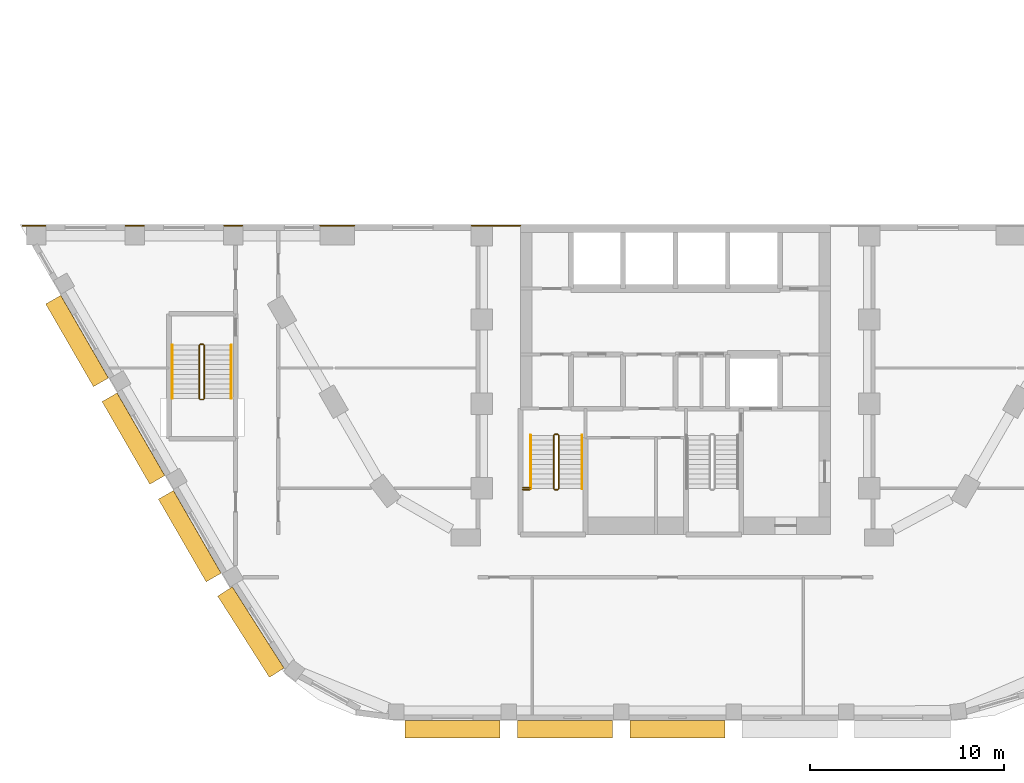
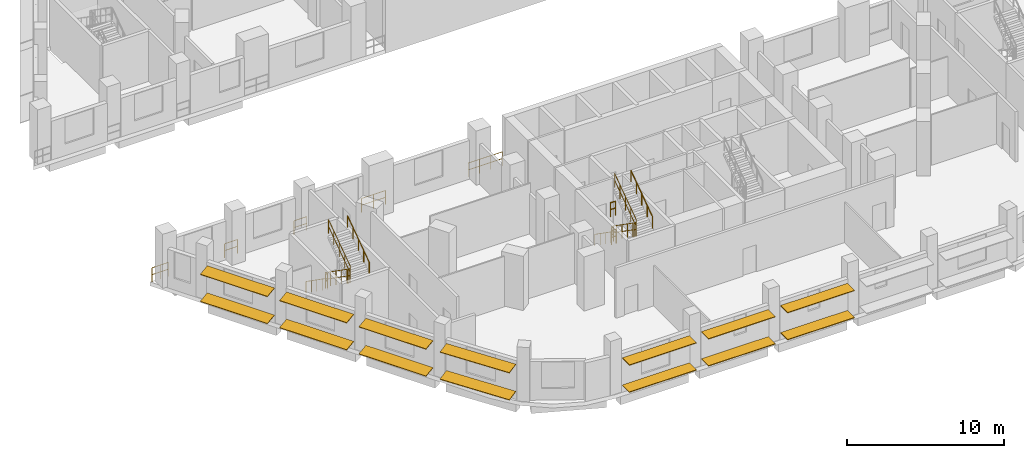
# One storey, part 27 of 33: 19 railings, 14 shading devices.
"""IFC4 building model written with IfcOpenShell, lengths in metres."""

from ifc_helpers import new_model, si_unit, direction, frame, origin, origin_2d, place, context, subcontext, project, spatial, rectangle, circle, extrude, material, material_profile, profile_set, type_object, element, save


model = new_model("IFC4")

# Units and contexts
model_context = context("Model", 3, precision=1e-05, world=origin(), true_north=direction((0.0, 1.0)))
body_context = subcontext(model_context, "Body", "Model", "MODEL_VIEW")
ifc_project = project(units=[si_unit("LENGTHUNIT", "METRE"), si_unit("AREAUNIT", "SQUARE_METRE"), si_unit("VOLUMEUNIT", "CUBIC_METRE"), si_unit("PLANEANGLEUNIT", "RADIAN"), si_unit("MASSUNIT", "GRAM", prefix="KILO")], contexts=[model_context])

# Site, building, storey
site_placement = place(None, origin())
site = spatial("IfcSite", under=ifc_project, at=site_placement, CompositionType="ELEMENT")
building_placement = place(site_placement, origin())
building = spatial("IfcBuilding", under=site, at=building_placement, Name="Nakaniwa Court", CompositionType="ELEMENT")
storey_placement = place(building_placement, frame((0.0, 0.0, 19.800048828125)))
storey = spatial("IfcBuildingStorey", under=building, at=storey_placement, Name="L04", CompositionType="ELEMENT", Elevation=19.800048828125)

# Shading devices
ifc_material_1 = material(Name="Perforated charcoal ceramic louvre blade")
ifc_material_profile = material_profile(ifc_material_1, rectangle(XDim=0.89990234375, YDim=0.050048828125, at=origin_2d()), Name="Perforated ceramic louvre blade")
ifc_profile_set = profile_set([ifc_material_profile], Name="Perforated charcoal ceramic louvre blade")
shading_device_type = type_object("IfcShadingDeviceType", Name="Perforated ceramic louvre blade", PredefinedType="JALOUSIE", material=ifc_profile_set)
for number, where, z_axis, x_axis, name in (
    (1, (47.884765625, 68.726318359375, 0.550048828125), (0.499988503985, -0.86603204091, 0.0), (0.858623016745, 0.495711033022, 0.13052619222), "L04 perforated ceramic louvre blade w13 1"),
    (2, (47.884765625, 68.726318359375, 2.64990234375), (0.499988503985, -0.86603204091, 0.0), (0.858623016745, 0.495711033022, 0.13052619222), "L04 perforated ceramic louvre blade w13 2"),
    (3, (50.793212890625, 63.68896484375, 0.550048828125), (0.499988503985, -0.86603204091, 0.0), (0.858623016745, 0.495711033022, 0.13052619222), "L04 perforated ceramic louvre blade w14 1"),
    (4, (50.793212890625, 63.68896484375, 2.64990234375), (0.499988503985, -0.86603204091, 0.0), (0.858623016745, 0.495711033022, 0.13052619222), "L04 perforated ceramic louvre blade w14 2"),
    (5, (53.701416015625, 58.651611328125, 0.550048828125), (0.499988503985, -0.86603204091, 0.0), (0.858623016745, 0.495711033022, 0.13052619222), "L04 perforated ceramic louvre blade w15 1"),
    (6, (53.701416015625, 58.651611328125, 2.64990234375), (0.499988503985, -0.86603204091, 0.0), (0.858623016745, 0.495711033022, 0.13052619222), "L04 perforated ceramic louvre blade w15 2"),
):
    element("IfcShadingDevice", number, at=place(storey_placement, frame(where, z_axis=z_axis, x_axis=x_axis)), inside=storey, type_object=shading_device_type, Name=name, PredefinedType="JALOUSIE", context=body_context, shape_type="SweptSolid", body=[
        extrude(rectangle(XDim=0.89990234375, YDim=0.050048828125, at=origin_2d()), origin(), (0.0, 0.0, 1.0), 4.9248046875),
    ])
for number, where, z_axis, x_axis, name in (
    (7, (56.75048828125, 53.664794921875, 0.550048828125), (0.537237750098, -0.843430850675, 0.0), (0.837322169417, 0.533346720771, 0.120136838835), "L04 perforated ceramic louvre blade w16 1"),
    (8, (56.75048828125, 53.664794921875, 2.64990234375), (0.537237750098, -0.843430850675, 0.0), (0.837322169417, 0.533346720771, 0.120136838835), "L04 perforated ceramic louvre blade w16 2"),
):
    element("IfcShadingDevice", number, at=place(storey_placement, frame(where, z_axis=z_axis, x_axis=x_axis)), inside=storey, type_object=shading_device_type, Name=name, PredefinedType="JALOUSIE", context=body_context, shape_type="SweptSolid", body=[
        extrude(rectangle(XDim=0.89990234375, YDim=0.050048828125, at=origin_2d()), origin(), (0.0, 0.0, 1.0), 4.970703125),
    ])
for number, where, z_axis, x_axis, name in (
    (9, (66.041748046875, 46.550048828125, 0.550048828125), (1.0, 0.0, 0.0), (0.0, 1.0, 0.0), "L04 perforated ceramic louvre blade w19 1"),
    (10, (66.041748046875, 46.550048828125, 2.64990234375), (1.0, 0.0, 0.0), (0.0, 1.0, 0.0), "L04 perforated ceramic louvre blade w19 2"),
):
    element("IfcShadingDevice", number, at=place(storey_placement, frame(where, z_axis=z_axis, x_axis=x_axis)), inside=storey, type_object=shading_device_type, Name=name, PredefinedType="JALOUSIE", context=body_context, shape_type="SweptSolid", body=[
        extrude(rectangle(XDim=0.89990234375, YDim=0.050048828125, at=origin_2d()), origin(), (0.0, 0.0, 1.0), 4.91015625),
    ])
for number, where, z_axis, x_axis, name in (
    (11, (71.843994140625, 46.550048828125, 0.550048828125), (1.0, 0.0, 0.0), (0.0, 1.0, 0.0), "L04 perforated ceramic louvre blade w20 1"),
    (12, (71.843994140625, 46.550048828125, 2.64990234375), (1.0, 0.0, 0.0), (0.0, 1.0, 0.0), "L04 perforated ceramic louvre blade w20 2"),
):
    element("IfcShadingDevice", number, at=place(storey_placement, frame(where, z_axis=z_axis, x_axis=x_axis)), inside=storey, type_object=shading_device_type, Name=name, PredefinedType="JALOUSIE", context=body_context, shape_type="SweptSolid", body=[
        extrude(rectangle(XDim=0.89990234375, YDim=0.050048828125, at=origin_2d()), origin(), (0.0, 0.0, 1.0), 4.910400390625),
    ])
for number, where, z_axis, x_axis, name in (
    (13, (77.646240234375, 46.550048828125, 0.550048828125), (1.0, 0.0, 0.0), (0.0, 1.0, 0.0), "L04 perforated ceramic louvre blade w21 1"),
    (14, (77.646240234375, 46.550048828125, 2.64990234375), (1.0, 0.0, 0.0), (0.0, 1.0, 0.0), "L04 perforated ceramic louvre blade w21 2"),
):
    element("IfcShadingDevice", number, at=place(storey_placement, frame(where, z_axis=z_axis, x_axis=x_axis)), inside=storey, type_object=shading_device_type, Name=name, PredefinedType="JALOUSIE", context=body_context, shape_type="SweptSolid", body=[
        extrude(rectangle(XDim=0.89990234375, YDim=0.050048828125, at=origin_2d()), origin(), (0.0, 0.0, 1.0), 4.91015625),
    ])

# Railings
ifc_material_2 = material(Name="Black powder coated steel guard", Category="steel")
railing_type_1 = type_object("IfcRailingType", Name="Stair guard 1100", PredefinedType="GUARDRAIL", material=ifc_material_2)
railing_1_placement = place(storey_placement, frame((73.72509765625, 61.72509765625, 0.175048828125)))
element("IfcRailing", 15, at=railing_1_placement, inside=storey, type_object=railing_type_1, Name="L04 ST3 stair guard 1", PredefinedType="GUARDRAIL", context=body_context, shape_type="SweptSolid", body=[
    extrude(circle(Radius=0.02392578125, at=origin_2d()), frame((0.0, 0.0, 1.076171875), z_axis=(0.0, -0.819259255306, 0.573423292687), x_axis=(1.0, 0.0, 0.0)), (0.0, 0.0, 1.0), 3.356689453125),
    extrude(circle(Radius=0.02392578125, at=origin_2d()), frame((0.0, 0.0, 0.550048828125), z_axis=(0.0, -0.819259255306, 0.573423292687), x_axis=(1.0, 0.0, 0.0)), (0.0, 0.0, 1.0), 3.356689453125),
    extrude(circle(Radius=0.02099609375, at=origin_2d()), origin(), (0.0, 0.0, 1.0), 1.052001953125),
    extrude(circle(Radius=0.02099609375, at=origin_2d()), frame((0.0, -0.6875, 0.481201171875)), (0.0, 0.0, 1.0), 1.052001953125),
    extrude(circle(Radius=0.02099609375, at=origin_2d()), frame((0.0, -1.375, 0.96240234375)), (0.0, 0.0, 1.0), 1.052001953125),
    extrude(circle(Radius=0.02099609375, at=origin_2d()), frame((0.0, -2.0625, 1.443603515625)), (0.0, 0.0, 1.0), 1.052001953125),
    extrude(circle(Radius=0.02099609375, at=origin_2d()), frame((0.0, -2.75, 1.9248046875)), (0.0, 0.0, 1.0), 1.052001953125),
])
railing_2_placement = place(storey_placement, frame((73.77490234375, 58.925048828125, 2.099853515625)))
element("IfcRailing", 16, at=railing_2_placement, inside=storey, type_object=railing_type_1, Name="L04 ST3 stair guard 2", PredefinedType="GUARDRAIL", context=body_context, shape_type="SweptSolid", body=[
    extrude(circle(Radius=0.02392578125, at=origin_2d()), frame((0.0, 0.0, 1.076171875), z_axis=(1.0, 0.0, 0.0), x_axis=(0.0, 1.0, 0.0)), (0.0, 0.0, 1.0), 0.150146484375),
    extrude(circle(Radius=0.02392578125, at=origin_2d()), frame((0.0, 0.0, 0.550048828125), z_axis=(1.0, 0.0, 0.0), x_axis=(0.0, 1.0, 0.0)), (0.0, 0.0, 1.0), 0.150146484375),
    extrude(circle(Radius=0.02099609375, at=origin_2d()), origin(), (0.0, 0.0, 1.0), 1.052001953125),
    extrude(circle(Radius=0.02099609375, at=origin_2d()), frame((0.150146484375, 0.0, 0.0)), (0.0, 0.0, 1.0), 1.052001953125),
])
railing_3_placement = place(storey_placement, frame((73.97509765625, 58.97509765625, 2.27490234375)))
element("IfcRailing", 17, at=railing_3_placement, inside=storey, type_object=railing_type_1, Name="L04 ST3 stair guard 3", PredefinedType="GUARDRAIL", context=body_context, shape_type="SweptSolid", body=[
    extrude(circle(Radius=0.02392578125, at=origin_2d()), frame((0.0, 0.0, 1.076171875), z_axis=(0.0, 0.819225086817, 0.573472106672), x_axis=(-1.0, 0.0, 0.0)), (0.0, 0.0, 1.0), 3.35693359375),
    extrude(circle(Radius=0.02392578125, at=origin_2d()), frame((0.0, 0.0, 0.550048828125), z_axis=(0.0, 0.819225086817, 0.573472106672), x_axis=(-1.0, 0.0, 0.0)), (0.0, 0.0, 1.0), 3.35693359375),
    extrude(circle(Radius=0.02099609375, at=origin_2d()), origin(), (0.0, 0.0, 1.0), 1.052001953125),
    extrude(circle(Radius=0.02099609375, at=origin_2d()), frame((0.0, 0.6875, 0.481201171875)), (0.0, 0.0, 1.0), 1.052001953125),
    extrude(circle(Radius=0.02099609375, at=origin_2d()), frame((0.0, 1.375, 0.96240234375)), (0.0, 0.0, 1.0), 1.052001953125),
    extrude(circle(Radius=0.02099609375, at=origin_2d()), frame((0.0, 2.0625, 1.44384765625)), (0.0, 0.0, 1.0), 1.052001953125),
    extrude(circle(Radius=0.02099609375, at=origin_2d()), frame((0.0, 2.75, 1.925048828125)), (0.0, 0.0, 1.0), 1.052001953125),
])
railing_4_placement = place(storey_placement, frame((73.77490234375, 61.77490234375, 0.0)))
element("IfcRailing", 18, at=railing_4_placement, inside=storey, type_object=railing_type_1, Name="L04 ST3 stair guard 4", PredefinedType="GUARDRAIL", context=body_context, shape_type="SweptSolid", body=[
    extrude(circle(Radius=0.02392578125, at=origin_2d()), frame((0.0, 0.0, 1.076171875), z_axis=(1.0, 0.0, 0.0), x_axis=(0.0, 1.0, 0.0)), (0.0, 0.0, 1.0), 0.150146484375),
    extrude(circle(Radius=0.02392578125, at=origin_2d()), frame((0.0, 0.0, 0.550048828125), z_axis=(1.0, 0.0, 0.0), x_axis=(0.0, 1.0, 0.0)), (0.0, 0.0, 1.0), 0.150146484375),
    extrude(circle(Radius=0.02099609375, at=origin_2d()), origin(), (0.0, 0.0, 1.0), 1.052001953125),
    extrude(circle(Radius=0.02099609375, at=origin_2d()), frame((0.150146484375, 0.0, 0.0)), (0.0, 0.0, 1.0), 1.052001953125),
])
for number, where, name in (
    (19, (72.125, 58.925048828125, 2.099853515625), "L04 ST3 landing side guard 1W"),
    (20, (72.125, 59.02490234375, 4.199951171875), "L04 ST3 floor edge guard 1W"),
):
    element("IfcRailing", number, at=place(storey_placement, frame(where)), inside=storey, type_object=railing_type_1, Name=name, PredefinedType="GUARDRAIL", context=body_context, shape_type="SweptSolid", body=[
        extrude(circle(Radius=0.02392578125, at=origin_2d()), frame((0.0, 0.0, 1.076171875), z_axis=(1.0, 0.0, 0.0), x_axis=(0.0, 1.0, 0.0)), (0.0, 0.0, 1.0), 0.35009765625),
        extrude(circle(Radius=0.02392578125, at=origin_2d()), frame((0.0, 0.0, 0.550048828125), z_axis=(1.0, 0.0, 0.0), x_axis=(0.0, 1.0, 0.0)), (0.0, 0.0, 1.0), 0.35009765625),
        extrude(circle(Radius=0.02099609375, at=origin_2d()), origin(), (0.0, 0.0, 1.0), 1.052001953125),
        extrude(circle(Radius=0.02099609375, at=origin_2d()), frame((0.35009765625, 0.0, 0.0)), (0.0, 0.0, 1.0), 1.052001953125),
    ])
railing_5_placement = place(storey_placement, frame((55.425048828125, 66.375, 0.175048828125)))
element("IfcRailing", 21, at=railing_5_placement, inside=storey, type_object=railing_type_1, Name="L04 SS4 stair guard 1", PredefinedType="GUARDRAIL", context=body_context, shape_type="SweptSolid", body=[
    extrude(circle(Radius=0.02392578125, at=origin_2d()), frame((0.0, 0.0, 1.076171875), z_axis=(0.0, -0.819259255306, 0.573423292687), x_axis=(1.0, 0.0, 0.0)), (0.0, 0.0, 1.0), 3.356689453125),
    extrude(circle(Radius=0.02392578125, at=origin_2d()), frame((0.0, 0.0, 0.550048828125), z_axis=(0.0, -0.819259255306, 0.573423292687), x_axis=(1.0, 0.0, 0.0)), (0.0, 0.0, 1.0), 3.356689453125),
    extrude(circle(Radius=0.02099609375, at=origin_2d()), origin(), (0.0, 0.0, 1.0), 1.052001953125),
    extrude(circle(Radius=0.02099609375, at=origin_2d()), frame((0.0, -0.6875, 0.481201171875)), (0.0, 0.0, 1.0), 1.052001953125),
    extrude(circle(Radius=0.02099609375, at=origin_2d()), frame((0.0, -1.375, 0.96240234375)), (0.0, 0.0, 1.0), 1.052001953125),
    extrude(circle(Radius=0.02099609375, at=origin_2d()), frame((0.0, -2.0625, 1.443603515625)), (0.0, 0.0, 1.0), 1.052001953125),
    extrude(circle(Radius=0.02099609375, at=origin_2d()), frame((0.0, -2.75, 1.9248046875)), (0.0, 0.0, 1.0), 1.052001953125),
])
railing_6_placement = place(storey_placement, frame((55.47509765625, 63.574951171875, 2.099853515625)))
element("IfcRailing", 22, at=railing_6_placement, inside=storey, type_object=railing_type_1, Name="L04 SS4 stair guard 2", PredefinedType="GUARDRAIL", context=body_context, shape_type="SweptSolid", body=[
    extrude(circle(Radius=0.02392578125, at=origin_2d()), frame((0.0, 0.0, 1.076171875), z_axis=(1.0, 0.0, 0.0), x_axis=(0.0, 1.0, 0.0)), (0.0, 0.0, 1.0), 0.14990234375),
    extrude(circle(Radius=0.02392578125, at=origin_2d()), frame((0.0, 0.0, 0.550048828125), z_axis=(1.0, 0.0, 0.0), x_axis=(0.0, 1.0, 0.0)), (0.0, 0.0, 1.0), 0.14990234375),
    extrude(circle(Radius=0.02099609375, at=origin_2d()), origin(), (0.0, 0.0, 1.0), 1.052001953125),
    extrude(circle(Radius=0.02099609375, at=origin_2d()), frame((0.14990234375, 0.0, 0.0)), (0.0, 0.0, 1.0), 1.052001953125),
])
railing_7_placement = place(storey_placement, frame((55.675048828125, 63.625, 2.27490234375)))
element("IfcRailing", 23, at=railing_7_placement, inside=storey, type_object=railing_type_1, Name="L04 SS4 stair guard 3", PredefinedType="GUARDRAIL", context=body_context, shape_type="SweptSolid", body=[
    extrude(circle(Radius=0.02392578125, at=origin_2d()), frame((0.0, 0.0, 1.076171875), z_axis=(0.0, 0.819225086817, 0.573472106672), x_axis=(-1.0, 0.0, 0.0)), (0.0, 0.0, 1.0), 3.35693359375),
    extrude(circle(Radius=0.02392578125, at=origin_2d()), frame((0.0, 0.0, 0.550048828125), z_axis=(0.0, 0.819225086817, 0.573472106672), x_axis=(-1.0, 0.0, 0.0)), (0.0, 0.0, 1.0), 3.35693359375),
    extrude(circle(Radius=0.02099609375, at=origin_2d()), origin(), (0.0, 0.0, 1.0), 1.052001953125),
    extrude(circle(Radius=0.02099609375, at=origin_2d()), frame((0.0, 0.6875, 0.481201171875)), (0.0, 0.0, 1.0), 1.052001953125),
    extrude(circle(Radius=0.02099609375, at=origin_2d()), frame((0.0, 1.375, 0.96240234375)), (0.0, 0.0, 1.0), 1.052001953125),
    extrude(circle(Radius=0.02099609375, at=origin_2d()), frame((0.0, 2.0625, 1.44384765625)), (0.0, 0.0, 1.0), 1.052001953125),
    extrude(circle(Radius=0.02099609375, at=origin_2d()), frame((0.0, 2.75, 1.925048828125)), (0.0, 0.0, 1.0), 1.052001953125),
])
railing_8_placement = place(storey_placement, frame((55.47509765625, 66.425048828125, 0.0)))
element("IfcRailing", 24, at=railing_8_placement, inside=storey, type_object=railing_type_1, Name="L04 SS4 stair guard 4", PredefinedType="GUARDRAIL", context=body_context, shape_type="SweptSolid", body=[
    extrude(circle(Radius=0.02392578125, at=origin_2d()), frame((0.0, 0.0, 1.076171875), z_axis=(1.0, 0.0, 0.0), x_axis=(0.0, 1.0, 0.0)), (0.0, 0.0, 1.0), 0.14990234375),
    extrude(circle(Radius=0.02392578125, at=origin_2d()), frame((0.0, 0.0, 0.550048828125), z_axis=(1.0, 0.0, 0.0), x_axis=(0.0, 1.0, 0.0)), (0.0, 0.0, 1.0), 0.14990234375),
    extrude(circle(Radius=0.02099609375, at=origin_2d()), origin(), (0.0, 0.0, 1.0), 1.052001953125),
    extrude(circle(Radius=0.02099609375, at=origin_2d()), frame((0.14990234375, 0.0, 0.0)), (0.0, 0.0, 1.0), 1.052001953125),
])
railing_9_placement = place(storey_placement, frame((46.297119140625, 72.550048828125, 0.0)))
element("IfcRailing", 25, at=railing_9_placement, inside=storey, type_object=railing_type_1, Name="GUARD GD-L04-061", PredefinedType="GUARDRAIL", context=body_context, shape_type="SweptSolid", body=[
    extrude(circle(Radius=0.02392578125, at=origin_2d()), frame((0.0, 0.0, 1.076171875), z_axis=(1.0, 0.0, 0.0), x_axis=(0.0, 1.0, 0.0)), (0.0, 0.0, 1.0), 1.18896484375),
    extrude(circle(Radius=0.02392578125, at=origin_2d()), frame((0.0, 0.0, 0.550048828125), z_axis=(1.0, 0.0, 0.0), x_axis=(0.0, 1.0, 0.0)), (0.0, 0.0, 1.0), 1.18896484375),
    extrude(circle(Radius=0.02099609375, at=origin_2d()), origin(), (0.0, 0.0, 1.0), 1.052001953125),
    extrude(circle(Radius=0.02099609375, at=origin_2d()), frame((0.594482421875, 0.0, 0.0)), (0.0, 0.0, 1.0), 1.052001953125),
    extrude(circle(Radius=0.02099609375, at=origin_2d()), frame((1.18896484375, 0.0, 0.0)), (0.0, 0.0, 1.0), 1.052001953125),
])
railing_10_placement = place(storey_placement, frame((51.610107421875, 72.550048828125, 0.0)))
element("IfcRailing", 26, at=railing_10_placement, inside=storey, type_object=railing_type_1, Name="GUARD GD-L04-062", PredefinedType="GUARDRAIL", context=body_context, shape_type="SweptSolid", body=[
    extrude(circle(Radius=0.02392578125, at=origin_2d()), frame((0.0, 0.0, 1.076171875), z_axis=(1.0, 0.0, 0.0), x_axis=(0.0, 1.0, 0.0)), (0.0, 0.0, 1.0), 0.95947265625),
    extrude(circle(Radius=0.02392578125, at=origin_2d()), frame((0.0, 0.0, 0.550048828125), z_axis=(1.0, 0.0, 0.0), x_axis=(0.0, 1.0, 0.0)), (0.0, 0.0, 1.0), 0.95947265625),
    extrude(circle(Radius=0.02099609375, at=origin_2d()), origin(), (0.0, 0.0, 1.0), 1.052001953125),
    extrude(circle(Radius=0.02099609375, at=origin_2d()), frame((0.95947265625, 0.0, 0.0)), (0.0, 0.0, 1.0), 1.052001953125),
])
railing_11_placement = place(storey_placement, frame((56.703857421875, 72.550048828125, 0.0)))
element("IfcRailing", 27, at=railing_11_placement, inside=storey, type_object=railing_type_1, Name="GUARD GD-L04-063", PredefinedType="GUARDRAIL", context=body_context, shape_type="SweptSolid", body=[
    extrude(circle(Radius=0.02392578125, at=origin_2d()), frame((0.0, 0.0, 1.076171875), z_axis=(1.0, 0.0, 0.0), x_axis=(0.0, 1.0, 0.0)), (0.0, 0.0, 1.0), 0.939453125),
    extrude(circle(Radius=0.02392578125, at=origin_2d()), frame((0.0, 0.0, 0.550048828125), z_axis=(1.0, 0.0, 0.0), x_axis=(0.0, 1.0, 0.0)), (0.0, 0.0, 1.0), 0.939453125),
    extrude(circle(Radius=0.02099609375, at=origin_2d()), origin(), (0.0, 0.0, 1.0), 1.052001953125),
    extrude(circle(Radius=0.02099609375, at=origin_2d()), frame((0.939453125, 0.0, 0.0)), (0.0, 0.0, 1.0), 1.052001953125),
])
railing_12_placement = place(storey_placement, frame((61.65771484375, 72.550048828125, 0.0)))
element("IfcRailing", 28, at=railing_12_placement, inside=storey, type_object=railing_type_1, Name="GUARD GD-L04-064", PredefinedType="GUARDRAIL", context=body_context, shape_type="SweptSolid", body=[
    extrude(circle(Radius=0.02392578125, at=origin_2d()), frame((0.0, 0.0, 1.076171875), z_axis=(1.0, 0.0, 0.0), x_axis=(0.0, 1.0, 0.0)), (0.0, 0.0, 1.0), 1.768310546875),
    extrude(circle(Radius=0.02392578125, at=origin_2d()), frame((0.0, 0.0, 0.550048828125), z_axis=(1.0, 0.0, 0.0), x_axis=(0.0, 1.0, 0.0)), (0.0, 0.0, 1.0), 1.768310546875),
    extrude(circle(Radius=0.02099609375, at=origin_2d()), origin(), (0.0, 0.0, 1.0), 1.052001953125),
    extrude(circle(Radius=0.02099609375, at=origin_2d()), frame((0.88427734375, 0.0, 0.0)), (0.0, 0.0, 1.0), 1.052001953125),
    extrude(circle(Radius=0.02099609375, at=origin_2d()), frame((1.768310546875, 0.0, 0.0)), (0.0, 0.0, 1.0), 1.052001953125),
])
railing_13_placement = place(storey_placement, frame((69.47802734375, 72.550048828125, 0.0)))
element("IfcRailing", 29, at=railing_13_placement, inside=storey, type_object=railing_type_1, Name="GUARD GD-L04-065", PredefinedType="GUARDRAIL", context=body_context, shape_type="SweptSolid", body=[
    extrude(circle(Radius=0.02392578125, at=origin_2d()), frame((0.0, 0.0, 1.076171875), z_axis=(1.0, 0.0, 0.0), x_axis=(0.0, 1.0, 0.0)), (0.0, 0.0, 1.0), 2.507080078125),
    extrude(circle(Radius=0.02392578125, at=origin_2d()), frame((0.0, 0.0, 0.550048828125), z_axis=(1.0, 0.0, 0.0), x_axis=(0.0, 1.0, 0.0)), (0.0, 0.0, 1.0), 2.507080078125),
    extrude(circle(Radius=0.02099609375, at=origin_2d()), origin(), (0.0, 0.0, 1.0), 1.052001953125),
    extrude(circle(Radius=0.02099609375, at=origin_2d()), frame((0.835693359375, 0.0, 0.0)), (0.0, 0.0, 1.0), 1.052001953125),
    extrude(circle(Radius=0.02099609375, at=origin_2d()), frame((1.67138671875, 0.0, 0.0)), (0.0, 0.0, 1.0), 1.052001953125),
    extrude(circle(Radius=0.02099609375, at=origin_2d()), frame((2.507080078125, 0.0, 0.0)), (0.0, 0.0, 1.0), 1.052001953125),
])
ifc_material_3 = material(Name="Black powder coated steel handrail", Category="steel")
railing_type_2 = type_object("IfcRailingType", Name="Stair handrail 900", PredefinedType="HANDRAIL", material=ifc_material_3)
railing_14_placement = place(storey_placement, frame((72.52490234375, 61.72509765625, 0.175048828125)))
element("IfcRailing", 30, at=railing_14_placement, inside=storey, type_object=railing_type_2, Name="L04 ST3 stair handrail 1", PredefinedType="HANDRAIL", context=body_context, shape_type="SweptSolid", body=[
    extrude(circle(Radius=0.02392578125, at=origin_2d()), frame((0.0, 0.0, 0.8759765625), z_axis=(0.0, -0.819259255306, 0.573423292687), x_axis=(1.0, 0.0, 0.0)), (0.0, 0.0, 1.0), 3.356689453125),
    extrude(circle(Radius=0.02099609375, at=origin_2d()), origin(), (0.0, 0.0, 1.0), 0.851806640625),
    extrude(circle(Radius=0.02099609375, at=origin_2d()), frame((0.0, -0.6875, 0.481201171875)), (0.0, 0.0, 1.0), 0.851806640625),
    extrude(circle(Radius=0.02099609375, at=origin_2d()), frame((0.0, -1.375, 0.96240234375)), (0.0, 0.0, 1.0), 0.851806640625),
    extrude(circle(Radius=0.02099609375, at=origin_2d()), frame((0.0, -2.0625, 1.443603515625)), (0.0, 0.0, 1.0), 0.851806640625),
    extrude(circle(Radius=0.02099609375, at=origin_2d()), frame((0.0, -2.75, 1.9248046875)), (0.0, 0.0, 1.0), 0.851806640625),
])
railing_15_placement = place(storey_placement, frame((75.175048828125, 58.97509765625, 2.27490234375)))
element("IfcRailing", 31, at=railing_15_placement, inside=storey, type_object=railing_type_2, Name="L04 ST3 stair handrail 2", PredefinedType="HANDRAIL", context=body_context, shape_type="SweptSolid", body=[
    extrude(circle(Radius=0.02392578125, at=origin_2d()), frame((0.0, 0.0, 0.8759765625), z_axis=(0.0, 0.819225086817, 0.573472106672), x_axis=(-1.0, 0.0, 0.0)), (0.0, 0.0, 1.0), 3.35693359375),
    extrude(circle(Radius=0.02099609375, at=origin_2d()), origin(), (0.0, 0.0, 1.0), 0.851806640625),
    extrude(circle(Radius=0.02099609375, at=origin_2d()), frame((0.0, 0.6875, 0.481201171875)), (0.0, 0.0, 1.0), 0.851806640625),
    extrude(circle(Radius=0.02099609375, at=origin_2d()), frame((0.0, 1.375, 0.96240234375)), (0.0, 0.0, 1.0), 0.851806640625),
    extrude(circle(Radius=0.02099609375, at=origin_2d()), frame((0.0, 2.0625, 1.44384765625)), (0.0, 0.0, 1.0), 0.851806640625),
    extrude(circle(Radius=0.02099609375, at=origin_2d()), frame((0.0, 2.75, 1.925048828125)), (0.0, 0.0, 1.0), 0.851806640625),
])
railing_16_placement = place(storey_placement, frame((54.02490234375, 66.375, 0.175048828125)))
element("IfcRailing", 32, at=railing_16_placement, inside=storey, type_object=railing_type_2, Name="L04 SS4 stair handrail 1", PredefinedType="HANDRAIL", context=body_context, shape_type="SweptSolid", body=[
    extrude(circle(Radius=0.02392578125, at=origin_2d()), frame((0.0, 0.0, 0.8759765625), z_axis=(0.0, -0.819259255306, 0.573423292687), x_axis=(1.0, 0.0, 0.0)), (0.0, 0.0, 1.0), 3.356689453125),
    extrude(circle(Radius=0.02099609375, at=origin_2d()), origin(), (0.0, 0.0, 1.0), 0.851806640625),
    extrude(circle(Radius=0.02099609375, at=origin_2d()), frame((0.0, -0.6875, 0.481201171875)), (0.0, 0.0, 1.0), 0.851806640625),
    extrude(circle(Radius=0.02099609375, at=origin_2d()), frame((0.0, -1.375, 0.96240234375)), (0.0, 0.0, 1.0), 0.851806640625),
    extrude(circle(Radius=0.02099609375, at=origin_2d()), frame((0.0, -2.0625, 1.443603515625)), (0.0, 0.0, 1.0), 0.851806640625),
    extrude(circle(Radius=0.02099609375, at=origin_2d()), frame((0.0, -2.75, 1.9248046875)), (0.0, 0.0, 1.0), 0.851806640625),
])
railing_17_placement = place(storey_placement, frame((57.074951171875, 63.625, 2.27490234375)))
element("IfcRailing", 33, at=railing_17_placement, inside=storey, type_object=railing_type_2, Name="L04 SS4 stair handrail 2", PredefinedType="HANDRAIL", context=body_context, shape_type="SweptSolid", body=[
    extrude(circle(Radius=0.02392578125, at=origin_2d()), frame((0.0, 0.0, 0.8759765625), z_axis=(0.0, 0.819225086817, 0.573472106672), x_axis=(-1.0, 0.0, 0.0)), (0.0, 0.0, 1.0), 3.35693359375),
    extrude(circle(Radius=0.02099609375, at=origin_2d()), origin(), (0.0, 0.0, 1.0), 0.851806640625),
    extrude(circle(Radius=0.02099609375, at=origin_2d()), frame((0.0, 0.6875, 0.481201171875)), (0.0, 0.0, 1.0), 0.851806640625),
    extrude(circle(Radius=0.02099609375, at=origin_2d()), frame((0.0, 1.375, 0.96240234375)), (0.0, 0.0, 1.0), 0.851806640625),
    extrude(circle(Radius=0.02099609375, at=origin_2d()), frame((0.0, 2.0625, 1.44384765625)), (0.0, 0.0, 1.0), 0.851806640625),
    extrude(circle(Radius=0.02099609375, at=origin_2d()), frame((0.0, 2.75, 1.925048828125)), (0.0, 0.0, 1.0), 0.851806640625),
])

save(model, "model.ifc")
